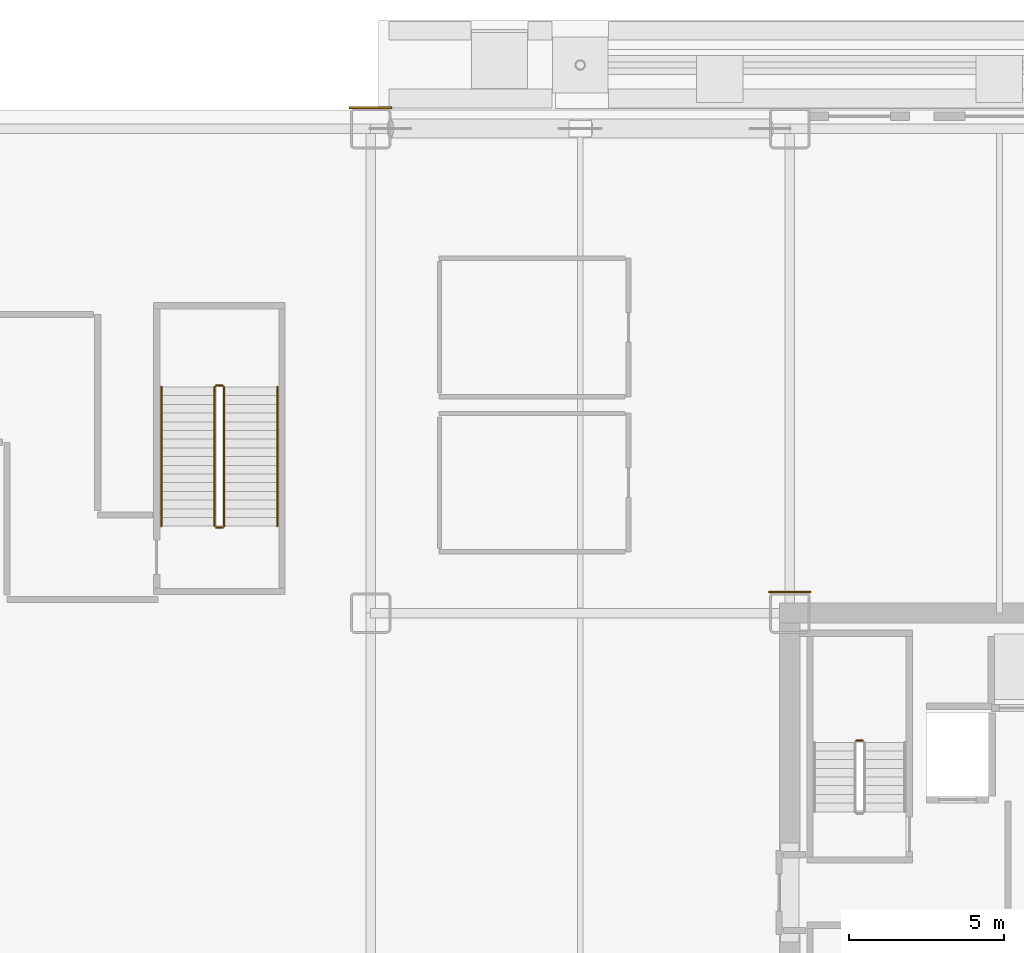
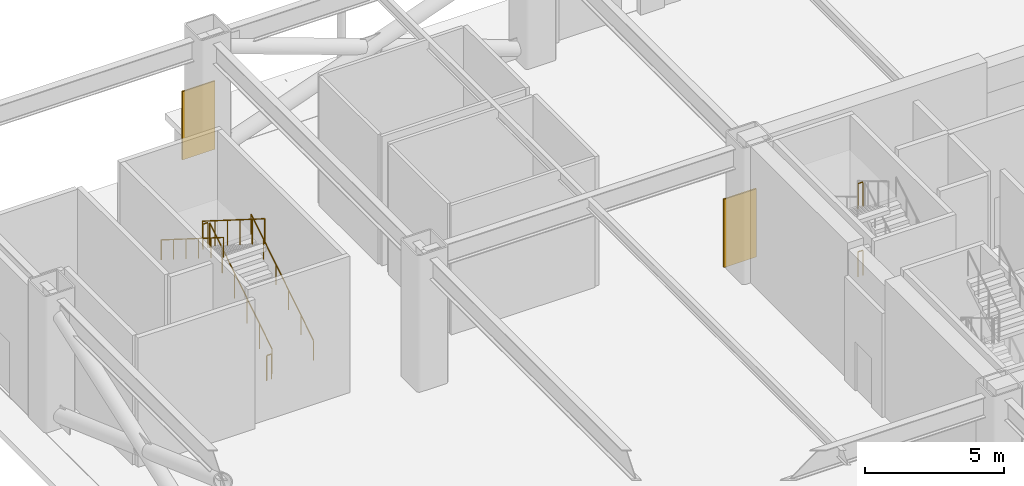
# One storey, part 15 of 17: 8 railings, 2 coverings.
"""IFC4 building model written with IfcOpenShell, lengths in metres."""

from ifc_helpers import new_model, si_unit, direction, frame, origin, origin_2d, place, context, subcontext, project, spatial, rectangle, circle, extrude, source, transform, mapped, material, layer, layer_set, type_object, element, save


model = new_model("IFC4")

# Units and contexts
model_context = context("Model", 3, precision=1e-05, world=origin(), true_north=direction((0.0, 1.0)))
body_context = subcontext(model_context, "Body", "Model", "MODEL_VIEW")
ifc_project = project(units=[si_unit("LENGTHUNIT", "METRE"), si_unit("AREAUNIT", "SQUARE_METRE"), si_unit("VOLUMEUNIT", "CUBIC_METRE"), si_unit("PLANEANGLEUNIT", "RADIAN"), si_unit("MASSUNIT", "GRAM", prefix="KILO")], contexts=[model_context])

# Site, building, storey
site_placement = place(None, origin())
site = spatial("IfcSite", under=ifc_project, at=site_placement, CompositionType="ELEMENT")
building_placement = place(site_placement, origin())
building = spatial("IfcBuilding", under=site, at=building_placement, Name="Nefas-Gora Pilgrimage Tower", CompositionType="ELEMENT")
storey_placement = place(building_placement, origin())
storey = spatial("IfcBuildingStorey", under=building, at=storey_placement, Name="L00", CompositionType="ELEMENT", Elevation=0.0)

# Railings
ifc_material_1 = material(Name="Painted galvanised steel", Category="steel")
railing_type_1 = type_object("IfcRailingType", Name="RLG-STR-GUARD-1100", PredefinedType="GUARDRAIL", material=ifc_material_1)
for number, where, name in (
    (1, (-8.89990234375, 4.889892578125, 1.5), "L00 ST-01 stair guard 2"),
    (2, (-8.89990234375, 4.889892578125, 4.5), "L00 ST-01 stair guard 6"),
):
    element("IfcRailing", number, at=place(storey_placement, frame(where)), inside=storey, type_object=railing_type_1, Name=name, PredefinedType="GUARDRAIL", context=body_context, shape_type="SweptSolid", body=[
        extrude(circle(Radius=0.02392578125, at=origin_2d()), frame((0.0, 0.0, 1.09619140625), z_axis=(-1.0, 0.0, 0.0), x_axis=(0.0, -1.0, 0.0)), (0.0, 0.0, 1.0), 0.2001953125),
        extrude(circle(Radius=0.02099609375, at=origin_2d()), origin(), (0.0, 0.0, 1.0), 1.072021484375),
        extrude(circle(Radius=0.02099609375, at=origin_2d()), frame((-0.2001953125, 0.0, 0.0)), (0.0, 0.0, 1.0), 1.072021484375),
    ])
railing_1_placement = place(storey_placement, frame((-29.469970703125, 11.800048828125, 0.176513671875)))
element("IfcRailing", 3, at=railing_1_placement, inside=storey, type_object=railing_type_1, Name="L00 ST-04 stair guard 1", PredefinedType="GUARDRAIL", context=body_context, shape_type="SweptSolid", body=[
    extrude(circle(Radius=0.02392578125, at=origin_2d()), frame((0.0, 0.0, 1.09619140625), z_axis=(0.0, 0.845997938375, 0.533186166611), x_axis=(-1.0, 0.0, 0.0)), (0.0, 0.0, 1.0), 5.29541015625),
    extrude(circle(Radius=0.02099609375, at=origin_2d()), origin(), (0.0, 0.0, 1.0), 1.072021484375),
    extrude(circle(Radius=0.02099609375, at=origin_2d()), frame((0.0, 0.89599609375, 0.564697265625)), (0.0, 0.0, 1.0), 1.072021484375),
    extrude(circle(Radius=0.02099609375, at=origin_2d()), frame((0.0, 1.7919921875, 1.12939453125)), (0.0, 0.0, 1.0), 1.072021484375),
    extrude(circle(Radius=0.02099609375, at=origin_2d()), frame((0.0, 2.68798828125, 1.694091796875)), (0.0, 0.0, 1.0), 1.072021484375),
    extrude(circle(Radius=0.02099609375, at=origin_2d()), frame((0.0, 3.583984375, 2.2587890625)), (0.0, 0.0, 1.0), 1.072021484375),
    extrude(circle(Radius=0.02099609375, at=origin_2d()), frame((0.0, 4.47998046875, 2.823486328125)), (0.0, 0.0, 1.0), 1.072021484375),
])
railing_2_placement = place(storey_placement, frame((-29.52001953125, 16.330078125, 3.0)))
element("IfcRailing", 4, at=railing_2_placement, inside=storey, type_object=railing_type_1, Name="L00 ST-04 stair guard 2", PredefinedType="GUARDRAIL", context=body_context, shape_type="SweptSolid", body=[
    extrude(circle(Radius=0.02392578125, at=origin_2d()), frame((0.0, 0.0, 1.09619140625), z_axis=(-1.0, 0.0, 0.0), x_axis=(0.0, -1.0, 0.0)), (0.0, 0.0, 1.0), 0.199951171875),
    extrude(circle(Radius=0.02099609375, at=origin_2d()), origin(), (0.0, 0.0, 1.0), 1.072021484375),
    extrude(circle(Radius=0.02099609375, at=origin_2d()), frame((-0.199951171875, 0.0, 0.0)), (0.0, 0.0, 1.0), 1.072021484375),
])
railing_3_placement = place(storey_placement, frame((-29.77001953125, 16.280029296875, 3.176513671875)))
element("IfcRailing", 5, at=railing_3_placement, inside=storey, type_object=railing_type_1, Name="L00 ST-04 stair guard 3", PredefinedType="GUARDRAIL", context=body_context, shape_type="SweptSolid", body=[
    extrude(circle(Radius=0.02392578125, at=origin_2d()), frame((0.0, 0.0, 1.09619140625), z_axis=(0.0, -0.845997938375, 0.533186166611), x_axis=(1.0, 0.0, 0.0)), (0.0, 0.0, 1.0), 5.29541015625),
    extrude(circle(Radius=0.02099609375, at=origin_2d()), origin(), (0.0, 0.0, 1.0), 1.072021484375),
    extrude(circle(Radius=0.02099609375, at=origin_2d()), frame((0.0, -0.89599609375, 0.564697265625)), (0.0, 0.0, 1.0), 1.072021484375),
    extrude(circle(Radius=0.02099609375, at=origin_2d()), frame((0.0, -1.7919921875, 1.12939453125)), (0.0, 0.0, 1.0), 1.072021484375),
    extrude(circle(Radius=0.02099609375, at=origin_2d()), frame((0.0, -2.68798828125, 1.694091796875)), (0.0, 0.0, 1.0), 1.072021484375),
    extrude(circle(Radius=0.02099609375, at=origin_2d()), frame((0.0, -3.583984375, 2.2587890625)), (0.0, 0.0, 1.0), 1.072021484375),
    extrude(circle(Radius=0.02099609375, at=origin_2d()), frame((0.0, -4.47998046875, 2.823486328125)), (0.0, 0.0, 1.0), 1.072021484375),
])
railing_4_placement = place(storey_placement, frame((-29.52001953125, 11.75, 0.0)))
element("IfcRailing", 6, at=railing_4_placement, inside=storey, type_object=railing_type_1, Name="L00 ST-04 stair guard 4", PredefinedType="GUARDRAIL", context=body_context, shape_type="SweptSolid", body=[
    extrude(circle(Radius=0.02392578125, at=origin_2d()), frame((0.0, 0.0, 1.09619140625), z_axis=(-1.0, 0.0, 0.0), x_axis=(0.0, -1.0, 0.0)), (0.0, 0.0, 1.0), 0.199951171875),
    extrude(circle(Radius=0.02099609375, at=origin_2d()), origin(), (0.0, 0.0, 1.0), 1.072021484375),
    extrude(circle(Radius=0.02099609375, at=origin_2d()), frame((-0.199951171875, 0.0, 0.0)), (0.0, 0.0, 1.0), 1.072021484375),
])
ifc_material_2 = material(Name="Brushed stainless steel", Category="steel")
railing_type_2 = type_object("IfcRailingType", Name="RLG-STR-HAND-900", PredefinedType="HANDRAIL", material=ifc_material_2)
railing_5_placement = place(storey_placement, frame((-27.75, 11.800048828125, 0.176513671875)))
element("IfcRailing", 7, at=railing_5_placement, inside=storey, type_object=railing_type_2, Name="L00 ST-04 stair handrail 1", PredefinedType="HANDRAIL", context=body_context, shape_type="SweptSolid", body=[
    extrude(circle(Radius=0.02392578125, at=origin_2d()), frame((0.0, 0.0, 0.8759765625), z_axis=(0.0, 0.845997938375, 0.533186166611), x_axis=(-1.0, 0.0, 0.0)), (0.0, 0.0, 1.0), 5.29541015625),
    extrude(circle(Radius=0.02099609375, at=origin_2d()), origin(), (0.0, 0.0, 1.0), 0.851806640625),
    extrude(circle(Radius=0.02099609375, at=origin_2d()), frame((0.0, 0.89599609375, 0.564697265625)), (0.0, 0.0, 1.0), 0.851806640625),
    extrude(circle(Radius=0.02099609375, at=origin_2d()), frame((0.0, 1.7919921875, 1.12939453125)), (0.0, 0.0, 1.0), 0.851806640625),
    extrude(circle(Radius=0.02099609375, at=origin_2d()), frame((0.0, 2.68798828125, 1.694091796875)), (0.0, 0.0, 1.0), 0.851806640625),
    extrude(circle(Radius=0.02099609375, at=origin_2d()), frame((0.0, 3.583984375, 2.2587890625)), (0.0, 0.0, 1.0), 0.851806640625),
    extrude(circle(Radius=0.02099609375, at=origin_2d()), frame((0.0, 4.47998046875, 2.823486328125)), (0.0, 0.0, 1.0), 0.851806640625),
])
railing_6_placement = place(storey_placement, frame((-31.489990234375, 16.280029296875, 3.176513671875)))
element("IfcRailing", 8, at=railing_6_placement, inside=storey, type_object=railing_type_2, Name="L00 ST-04 stair handrail 2", PredefinedType="HANDRAIL", context=body_context, shape_type="SweptSolid", body=[
    extrude(circle(Radius=0.02392578125, at=origin_2d()), frame((0.0, 0.0, 0.8759765625), z_axis=(0.0, -0.845997938375, 0.533186166611), x_axis=(1.0, 0.0, 0.0)), (0.0, 0.0, 1.0), 5.29541015625),
    extrude(circle(Radius=0.02099609375, at=origin_2d()), origin(), (0.0, 0.0, 1.0), 0.851806640625),
    extrude(circle(Radius=0.02099609375, at=origin_2d()), frame((0.0, -0.89599609375, 0.564697265625)), (0.0, 0.0, 1.0), 0.851806640625),
    extrude(circle(Radius=0.02099609375, at=origin_2d()), frame((0.0, -1.7919921875, 1.12939453125)), (0.0, 0.0, 1.0), 0.851806640625),
    extrude(circle(Radius=0.02099609375, at=origin_2d()), frame((0.0, -2.68798828125, 1.694091796875)), (0.0, 0.0, 1.0), 0.851806640625),
    extrude(circle(Radius=0.02099609375, at=origin_2d()), frame((0.0, -3.583984375, 2.2587890625)), (0.0, 0.0, 1.0), 0.851806640625),
    extrude(circle(Radius=0.02099609375, at=origin_2d()), frame((0.0, -4.47998046875, 2.823486328125)), (0.0, 0.0, 1.0), 0.851806640625),
])

# Coverings
ifc_material_3 = material(Name="Honed Ethiopian basalt stone cladding", Category="masonry")
ifc_layer = layer(ifc_material_3, 0.06005859375)
ifc_layer_set = layer_set([ifc_layer], Name="Honed Ethiopian basalt stone cladding")
covering_type = type_object("IfcCoveringType", Name="COV-CLAD-GRAN", PredefinedType="CLADDING", material=ifc_layer_set)
shared_shape = source(origin(), body_context, "Body", "SweptSolid", [
    extrude(rectangle(XDim=1.360107421875, YDim=0.06005859375, at=origin_2d()), origin(), (0.0, 0.0, 1.0), 3.0),
])
for number, where, z_axis, x_axis, name in (
    (9, (-24.75, 25.280029296875, 0.0), (0.0, 0.0, 1.0), (1.0, 0.0, 0.0), "L00 Basalt Plinth Cladding Collar 1"),
    (10, (-11.25, 9.679931640625, 0.0), (0.0, 0.0, 1.0), (1.0, 0.0, 0.0), "L00 Basalt Plinth Cladding Collar 5"),
):
    element("IfcCovering", number, at=place(storey_placement, frame(where, z_axis=z_axis, x_axis=x_axis)), inside=storey, type_object=covering_type, Name=name, PredefinedType="CLADDING", context=body_context, shape_type="MappedRepresentation", body=[
        mapped(shared_shape, transform((0.0, 0.0, 0.0), x_axis=(1.0, 0.0, 0.0), y_axis=(0.0, 1.0, 0.0), z_axis=(0.0, 0.0, 1.0), scale=1.0)),
    ])

save(model, "model.ifc")
